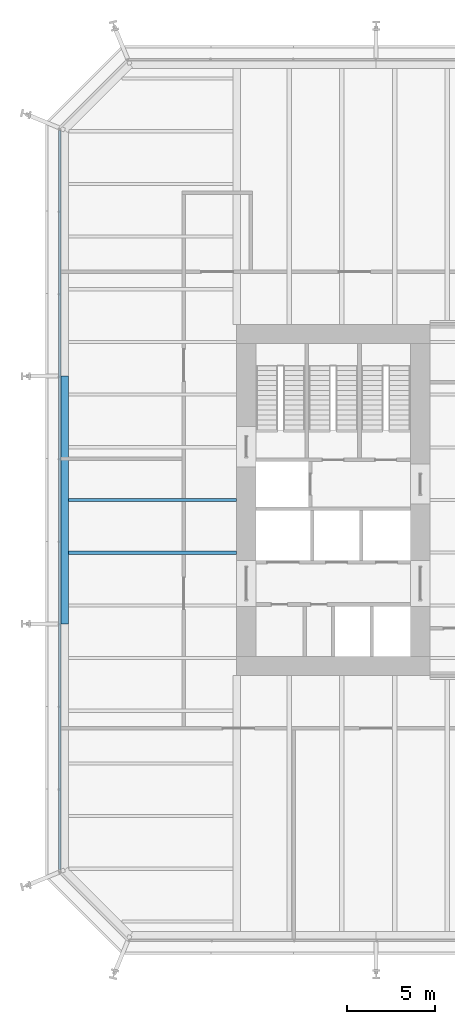
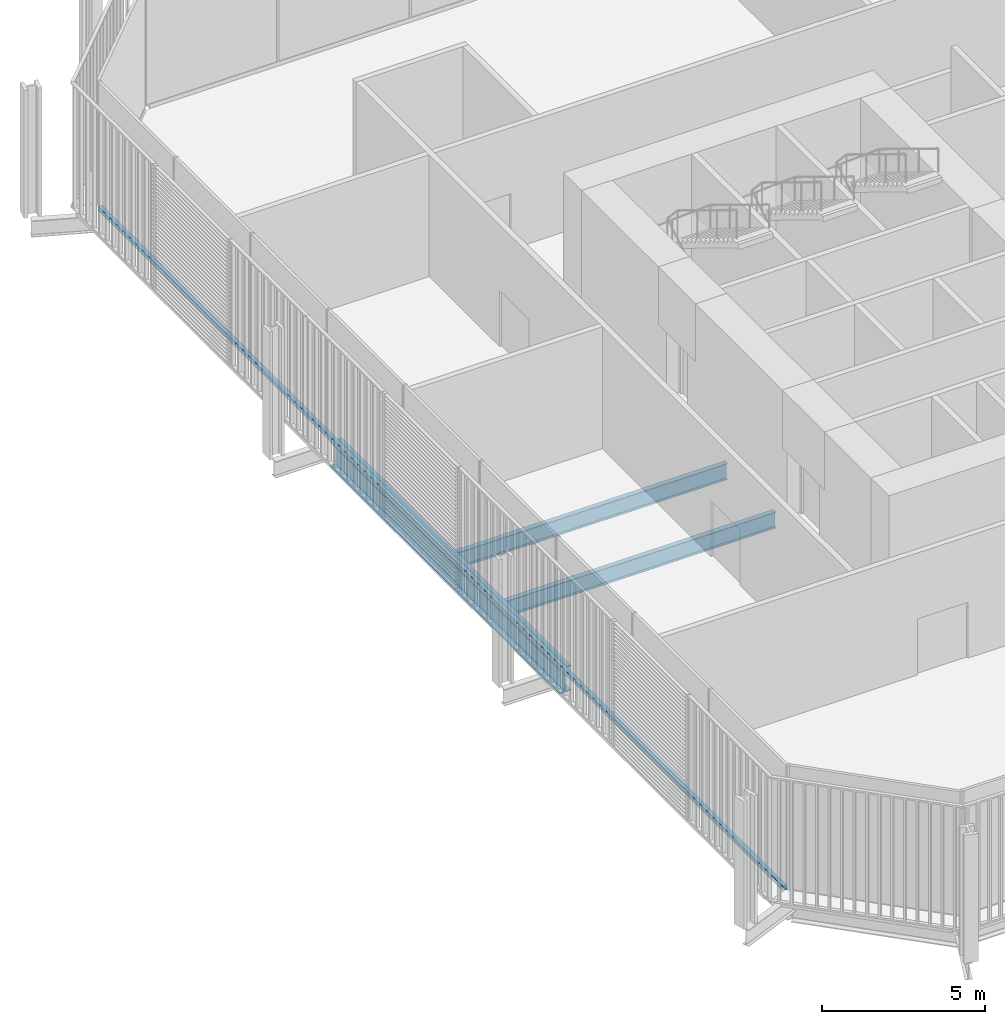
# One storey, part 6 of 22: 3 beams, 1 member, 1 element without a shape of its own.
"""IFC4 building model written with IfcOpenShell, lengths in metres."""

import ifcopenshell
import ifcopenshell.guid

model = None  # the IFC model being written
_history = None  # IfcOwnerHistory: only IFC2X3 demands one
_inside = {}  # id of a spatial element -> (the spatial element, [elements in it])
_under = {}  # id of a project, library or spatial element -> (it, [spatial elements below it])
_declared = {}  # id of a project -> (the project, [libraries it declares])
_typed = {}  # id of a type object -> (the type object, [elements of that type])
_made_of = {}  # id of a material, layer set ... -> (it, [elements and type objects made of it])


def new_model(schema):
    """Start an empty IFC model of exactly this schema.

    Asked for "IFC4X3", IfcOpenShell would pick the latest addendum, in which some entities
    have other attributes; the version numbers below select the first issue.
    IFC2X3 requires an IfcOwnerHistory on every rooted entity: one is made here for all.
    """
    global model, _history
    if schema == "IFC4X3":
        model = ifcopenshell.file(schema_version=(4, 3, 0, 0))
    else:
        model = ifcopenshell.file(schema=schema)
    _inside.clear()
    _under.clear()
    _declared.clear()
    _typed.clear()
    _made_of.clear()
    _history = None
    if model.schema == "IFC2X3":
        org = make("IfcOrganization", Name="unknown")
        user = make(
            "IfcPersonAndOrganization",
            ThePerson=make("IfcPerson", FamilyName="unknown"),
            TheOrganization=org,
        )
        app = make(
            "IfcApplication",
            ApplicationDeveloper=org,
            Version="unknown",
            ApplicationFullName="unknown",
            ApplicationIdentifier="unknown",
        )
        _history = make(
            "IfcOwnerHistory",
            OwningUser=user,
            OwningApplication=app,
            ChangeAction="ADDED",
            CreationDate=0,
        )
    return model


def make(cls, **values):
    """One entity of the class cls with the attributes given. An attribute that is None is left unset."""
    return model.create_entity(
        cls, **{name: value for name, value in values.items() if value is not None}
    )


def rooted(cls, **values):
    """An entity with a GlobalId (a new one), such as an element, a storey or a relation."""
    return make(cls, GlobalId=ifcopenshell.guid.new(), OwnerHistory=_history, **values)


def si_unit(unit_type, name, prefix=None):
    """IfcSIUnit, for example si_unit("LENGTHUNIT", "METRE", prefix="MILLI")."""
    return make("IfcSIUnit", UnitType=unit_type, Prefix=prefix, Name=name)


def assignment(units):
    """IfcUnitAssignment: the units of a project."""
    return None if units is None else make("IfcUnitAssignment", Units=units)


def point(xyz):
    """IfcCartesianPoint."""
    return None if xyz is None else make("IfcCartesianPoint", Coordinates=xyz)


def direction(xyz):
    """IfcDirection."""
    return None if xyz is None else make("IfcDirection", DirectionRatios=xyz)


def frame(location, z_axis=None, x_axis=None):
    """IfcAxis2Placement3D, a coordinate frame: its origin and axes. An axis left out is left unset."""
    return make(
        "IfcAxis2Placement3D",
        Location=point(location),
        Axis=direction(z_axis),
        RefDirection=direction(x_axis),
    )


def frame_2d(location, x_axis=None):
    """IfcAxis2Placement2D, a coordinate frame in the plane: its origin and x axis."""
    return make(
        "IfcAxis2Placement2D", Location=point(location), RefDirection=direction(x_axis)
    )


def origin():
    """The frame at (0, 0, 0) with its axes left unset."""
    return frame((0.0, 0.0, 0.0))


def origin_2d():
    """The frame at (0, 0) in the plane with its x axis left unset."""
    return frame_2d((0.0, 0.0))


def place(relative_to, where):
    """IfcLocalPlacement: puts the frame where relative to a parent placement (None: the world)."""
    return make(
        "IfcLocalPlacement", PlacementRelTo=relative_to, RelativePlacement=where
    )


def context(
    kind, dimensions, precision=None, world=None, true_north=None, identifier=None
):
    """IfcGeometricRepresentationContext, for example the 3D "Model" context."""
    return make(
        "IfcGeometricRepresentationContext",
        ContextIdentifier=identifier,
        ContextType=kind,
        CoordinateSpaceDimension=dimensions,
        Precision=precision,
        WorldCoordinateSystem=world,
        TrueNorth=true_north,
    )


def subcontext(parent, identifier, kind, view, scale=None):
    """IfcGeometricRepresentationSubContext, for example "Body" below "Model"."""
    return make(
        "IfcGeometricRepresentationSubContext",
        ContextIdentifier=identifier,
        ContextType=kind,
        ParentContext=parent,
        TargetScale=scale,
        TargetView=view,
    )


def project(units=None, contexts=None):
    """IfcProject with its units and contexts."""
    return rooted(
        "IfcProject",
        Name="project",
        RepresentationContexts=contexts,
        UnitsInContext=assignment(units),
    )


def spatial(cls, under=None, at=None, **own):
    """A site, building, storey or space (cls), placed at a placement, below another one or the project."""
    s = rooted(cls, ObjectPlacement=at, **own)
    if under is not None:
        _under.setdefault(under.id(), (under, []))[1].append(s)
    return s


def profile(cls, at=None, kind="AREA", **sizes):
    """A parametric profile (cls). Its sizes go by their IFC names, for example OverallWidth=200.0."""
    return make(cls, ProfileType=kind, Position=at, **sizes)


def rectangle(**sizes):
    """IfcRectangleProfileDef."""
    return profile("IfcRectangleProfileDef", **sizes)


def i_section(**sizes):
    """IfcIShapeProfileDef."""
    return profile("IfcIShapeProfileDef", **sizes)


def extrude(swept, where, along, depth):
    """IfcExtrudedAreaSolid: the profile swept, set in the frame where, extruded along a direction by depth."""
    return make(
        "IfcExtrudedAreaSolid",
        SweptArea=swept,
        Position=where,
        ExtrudedDirection=direction(along),
        Depth=depth,
    )


def shape(context_of_items, identifier, shape_type, items):
    """IfcShapeRepresentation: the items that make up one representation, for example the "Body"."""
    return make(
        "IfcShapeRepresentation",
        ContextOfItems=context_of_items,
        RepresentationIdentifier=identifier,
        RepresentationType=shape_type,
        Items=items,
    )


def material(Name=None, Category=None):
    """IfcMaterial."""
    return make("IfcMaterial", Name=Name, Category=Category)


def layer(
    of_material, thickness, ventilated=None, Name=None, Category=None, Priority=None
):
    """IfcMaterialLayer: one layer of a wall or slab, of a material (None: an air gap)."""
    return make(
        "IfcMaterialLayer",
        Material=of_material,
        LayerThickness=thickness,
        IsVentilated=ventilated,
        Name=Name,
        Category=Category,
        Priority=Priority,
    )


def layer_set(layers, Name=None):
    """IfcMaterialLayerSet."""
    return make("IfcMaterialLayerSet", MaterialLayers=layers, LayerSetName=Name)


def material_profile(
    of_material, cross_section, Name=None, Category=None, Priority=None
):
    """IfcMaterialProfile: a cross section and its material."""
    return make(
        "IfcMaterialProfile",
        Name=Name,
        Material=of_material,
        Profile=cross_section,
        Priority=Priority,
        Category=Category,
    )


def profile_set(profiles, Name=None, composite=None):
    """IfcMaterialProfileSet."""
    return make(
        "IfcMaterialProfileSet",
        Name=Name,
        MaterialProfiles=profiles,
        CompositeProfile=composite,
    )


def made_of(thing, what):
    """Note that an element or type object is made of a material, layer set ...; save() writes the relation."""
    if what is not None:
        _made_of.setdefault(what.id(), (what, []))[1].append(thing)
    return thing


def type_object(cls, material=None, **own):
    """A type object (cls), such as IfcWallType, which elements share."""
    return made_of(rooted(cls, **own), material)


def element(
    cls,
    number,
    at=None,
    inside=None,
    cuts=None,
    type_object=None,
    material=None,
    context=None,
    identifier="Body",
    shape_type=None,
    held_by="IfcProductDefinitionShape",
    body=None,
    shapes=None,
    **own,
):
    """One element of the class cls, such as IfcWall. Its Tag is "e" and its number.

    at: its placement. inside: the storey or other place that contains it. cuts: it is an
    opening in that element (IfcRelVoidsElement). A single representation is given by context,
    identifier, shape_type and body (its items); several are given by shapes. held_by: the class
    of the entity that holds the representations. save() writes the other relations.
    """
    e = rooted(cls, Tag="e%d" % number, ObjectPlacement=at, **own)
    if body is not None:
        shapes = [shape(context, identifier, shape_type, body)]
    if shapes is not None:
        e.Representation = make(held_by, Representations=shapes)
    if inside is not None:
        _inside.setdefault(inside.id(), (inside, []))[1].append(e)
    if cuts is not None:
        rooted(
            "IfcRelVoidsElement", RelatingBuildingElement=cuts, RelatedOpeningElement=e
        )
    if type_object is not None:
        _typed.setdefault(type_object.id(), (type_object, []))[1].append(e)
    return made_of(e, material)


def aggregate(whole, parts):
    """IfcRelAggregates: a whole, such as a stair, and the parts it consists of."""
    return rooted("IfcRelAggregates", RelatingObject=whole, RelatedObjects=parts)


def save(model, path):
    """Write the relations noted so far, then the file.

    IfcRelAggregates (storeys below a building ...), IfcRelContainedInSpatialStructure (elements
    in a storey), IfcRelDefinesByType, IfcRelAssociatesMaterial and IfcRelDeclares: one each for
    every whole, place, type object, material and project.
    """
    for whole, parts in _under.values():
        aggregate(whole, parts)
    for where, things in _inside.values():
        rooted(
            "IfcRelContainedInSpatialStructure",
            RelatedElements=things,
            RelatingStructure=where,
        )
    for kind, things in _typed.values():
        rooted("IfcRelDefinesByType", RelatedObjects=things, RelatingType=kind)
    for what, things in _made_of.values():
        rooted("IfcRelAssociatesMaterial", RelatedObjects=things, RelatingMaterial=what)
    for by, libraries in _declared.values():
        rooted("IfcRelDeclares", RelatingContext=by, RelatedDefinitions=libraries)
    model.write(path)


model = new_model("IFC4")

# Units and contexts
model_context = context("Model", 3, precision=1e-05, world=origin(), true_north=direction((0.0, 1.0)))
body_context = subcontext(model_context, "Body", "Model", "MODEL_VIEW")
ifc_project = project(units=[si_unit("LENGTHUNIT", "METRE"), si_unit("AREAUNIT", "SQUARE_METRE"), si_unit("VOLUMEUNIT", "CUBIC_METRE"), si_unit("PLANEANGLEUNIT", "RADIAN"), si_unit("MASSUNIT", "GRAM", prefix="KILO")], contexts=[model_context])

# Site, building, storey
site_placement = place(None, origin())
site = spatial("IfcSite", under=ifc_project, at=site_placement, CompositionType="ELEMENT")
building_placement = place(site_placement, origin())
building = spatial("IfcBuilding", under=site, at=building_placement, Name="Millrace Tower", CompositionType="ELEMENT")
storey_placement = place(building_placement, frame((0.0, 0.0, 25.699951171875)))
storey = spatial("IfcBuildingStorey", under=building, at=storey_placement, Name="L06", CompositionType="ELEMENT", Elevation=25.699951171875)

# Curtain wall, member
ifc_material_1 = material(Name="Aluminium and glass", Category="aluminium")
ifc_layer = layer(ifc_material_1, 0.14990234375)
ifc_layer_set = layer_set([ifc_layer], Name="Aluminium and glass")
curtain_wall_type = type_object("IfcCurtainWallType", Name="CW-2 data hall insulated curtain wall", PredefinedType="NOTDEFINED", material=ifc_layer_set)
curtain_wall_placement = place(storey_placement, origin())
curtain_wall = element("IfcCurtainWall", 1, at=curtain_wall_placement, inside=storey, type_object=curtain_wall_type, Name="Curtain wall A-F08 L06", PredefinedType="NOTDEFINED")
ifc_material_2 = material(Name="Aluminium", Category="aluminium")
ifc_material_profile_1 = material_profile(ifc_material_2, rectangle(XDim=0.14990234375, YDim=0.159912109375, at=origin_2d()))
ifc_profile_set_1 = profile_set([ifc_material_profile_1], Name="Aluminium")
member_type = type_object("IfcMemberType", Name="CW-2 data hall insulated curtain wall transom", PredefinedType="USERDEFINED", material=ifc_profile_set_1)
member_placement = place(storey_placement, frame((-25.074951171875, 21.050048828125, 0.080078125), z_axis=(0.0, -1.0, 0.0), x_axis=(1.0, 0.0, 0.0)))
member = element("IfcMember", 2, at=member_placement, type_object=member_type, Name="CW2 transom A-F08.1", ObjectType="TRANSOM", PredefinedType="USERDEFINED", context=body_context, shape_type="SweptSolid", body=[
    extrude(rectangle(XDim=0.14990234375, YDim=0.159912109375, at=origin_2d()), origin(), (0.0, 0.0, 1.0), 42.10009765625),
])
aggregate(curtain_wall, [member])

# Beams
ifc_material_3 = material(Name="Steel ASTM A992 Grade 50", Category="steel")
ifc_material_profile_2 = material_profile(ifc_material_3, i_section(OverallWidth=0.1787109375, OverallDepth=0.60205078125, WebThickness=0.010986328125, FlangeThickness=0.014892578125, FilletRadius=0.0126953125, at=origin_2d()))
ifc_profile_set_2 = profile_set([ifc_material_profile_2], Name="Steel ASTM A992 Grade 50")
beam_type_1 = type_object("IfcBeamType", Name="Floor beam W24x62", PredefinedType="JOIST", material=ifc_profile_set_2)
for number, where, z_axis, x_axis, name in (
    (3, (-24.578369140625, -3.0, -0.52587890625), (1.0, 0.0, 0.0), (0.0, 1.0, 0.0), "BM-A-L06-S1-S018"),
    (4, (-24.578369140625, 0.0, -0.52587890625), (1.0, 0.0, 0.0), (0.0, 1.0, 0.0), "BM-A-L06-S1-S021"),
):
    element("IfcBeam", number, at=place(storey_placement, frame(where, z_axis=z_axis, x_axis=x_axis)), inside=storey, type_object=beam_type_1, Name=name, PredefinedType="JOIST", context=body_context, shape_type="SweptSolid", body=[
        extrude(i_section(OverallWidth=0.1787109375, OverallDepth=0.60205078125, WebThickness=0.010986328125, FlangeThickness=0.014892578125, FilletRadius=0.0126953125, at=origin_2d()), origin(), (0.0, 0.0, 1.0), 9.578369140625),
    ])
ifc_material_4 = material(Name="Steel ASTM A992 Grade 50", Category="steel")
ifc_material_profile_3 = material_profile(ifc_material_4, i_section(OverallWidth=0.421630859375, OverallDepth=0.937255859375, WebThickness=0.021240234375, FlangeThickness=0.03662109375, FilletRadius=0.024169921875, at=origin_2d()))
ifc_profile_set_3 = profile_set([ifc_material_profile_3], Name="Steel ASTM A992 Grade 50")
beam_type_2 = type_object("IfcBeamType", Name="Ring beam medium span W36x262", PredefinedType="SPANDREL", material=ifc_profile_set_3)
beam_placement = place(storey_placement, frame((-24.7890625, -7.050048828125, -0.693603515625), z_axis=(0.0, 1.0, 0.0), x_axis=(-1.0, 0.0, 0.0)))
element("IfcBeam", 5, at=beam_placement, inside=storey, type_object=beam_type_2, Name="RNG-A-L06-S1-02", PredefinedType="SPANDREL", context=body_context, shape_type="SweptSolid", body=[
    extrude(i_section(OverallWidth=0.421630859375, OverallDepth=0.937255859375, WebThickness=0.021240234375, FlangeThickness=0.03662109375, FilletRadius=0.024169921875, at=origin_2d()), origin(), (0.0, 0.0, 1.0), 14.10009765625),
])

save(model, "model.ifc")
